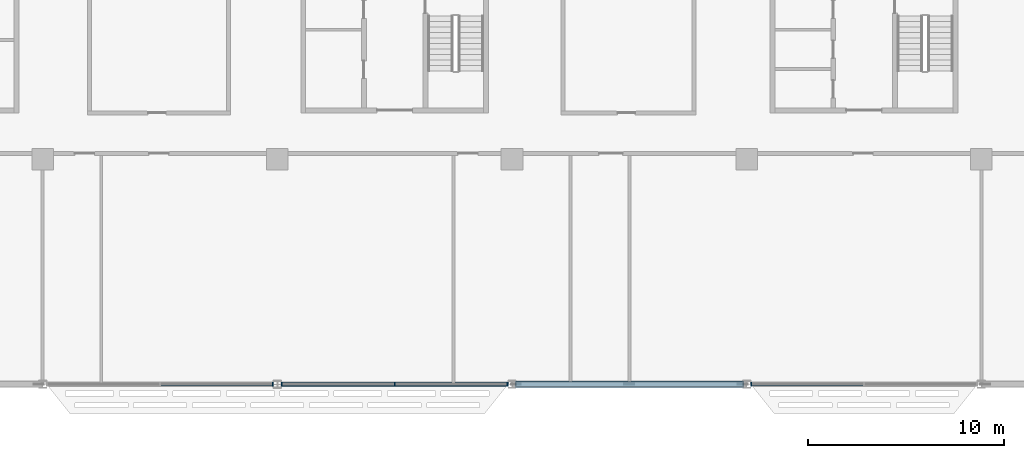
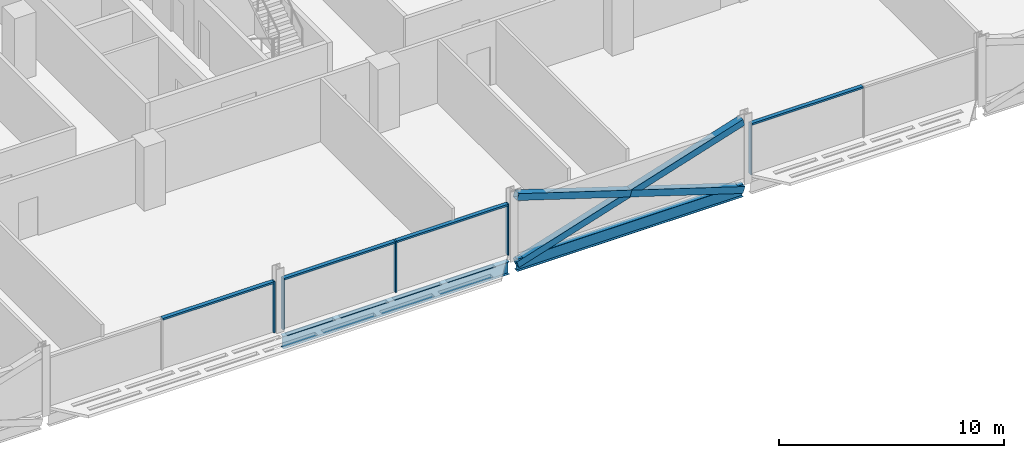
# One storey, part 6 of 30: 12 members, 2 beams, 3 elements without a shape of their own.
"""IFC4 building model written with IfcOpenShell, lengths in metres."""

from ifc_helpers import new_model, si_unit, direction, frame, origin, origin_2d, place, context, subcontext, project, spatial, rectangle, hollow_rectangle, i_section, extrude, material, material_profile, profile_set, type_object, element, aggregate, save


model = new_model("IFC4")

# Units and contexts
model_context = context("Model", 3, precision=1e-05, world=origin(), true_north=direction((0.0, 1.0)))
body_context = subcontext(model_context, "Body", "Model", "MODEL_VIEW")
ifc_project = project(units=[si_unit("LENGTHUNIT", "METRE"), si_unit("AREAUNIT", "SQUARE_METRE"), si_unit("VOLUMEUNIT", "CUBIC_METRE"), si_unit("PLANEANGLEUNIT", "RADIAN"), si_unit("MASSUNIT", "GRAM", prefix="KILO")], contexts=[model_context])

# Site, building, storey
site_placement = place(None, origin())
site = spatial("IfcSite", under=ifc_project, at=site_placement, CompositionType="ELEMENT")
building_placement = place(site_placement, origin())
building = spatial("IfcBuilding", under=site, at=building_placement, Name="Mahtab Terrace Research Tower", CompositionType="ELEMENT")
storey_placement = place(building_placement, frame((0.0, 0.0, 216.699951171875)))
storey = spatial("IfcBuildingStorey", under=building, at=storey_placement, Name="L52", CompositionType="ELEMENT", Elevation=216.699951171875)

# Members
ifc_material_1 = material(Name="Steel ASTM A500 Gr C", Category="steel")
ifc_material_profile_1 = material_profile(ifc_material_1, hollow_rectangle(XDim=0.355712890625, YDim=0.355712890625, WallThickness=0.015869140625, at=origin_2d()), Name="HSS14X14X5/8")
ifc_profile_set_1 = profile_set([ifc_material_profile_1], Name="Steel ASTM A500 Gr C")
member_type_1 = type_object("IfcMemberType", Name="HSS 14x14x5/8 brace XB141458", PredefinedType="BRACE", material=ifc_profile_set_1)
member_1_placement = place(storey_placement, frame((6.20068359375, -23.0, -0.615478515625), z_axis=(0.953343380425, 0.0, 0.301888057067), x_axis=(0.0, 1.0, 0.0)))
element("IfcMember", 1, at=member_1_placement, inside=storey, type_object=member_type_1, Name="Exoskeleton brace L52 17 a", PredefinedType="BRACE", context=body_context, shape_type="SweptSolid", body=[
    extrude(hollow_rectangle(XDim=0.355712890625, YDim=0.355712890625, WallThickness=0.015869140625, at=origin_2d()), origin(), (0.0, 0.0, 1.0), 12.166259765625),
])
for number, where, z_axis, x_axis, name in (
    (2, (17.79931640625, -23.0, -0.615478515625), (-0.953343380425, 0.0, 0.301888057067), (0.0, -1.0, 0.0), "Exoskeleton brace L52 17 b1"),
    (3, (12.0, -23.0, 1.220947265625), (-0.953343380425, 0.0, 0.301888057067), (0.0, -1.0, 0.0), "Exoskeleton brace L52 17 b2"),
):
    element("IfcMember", number, at=place(storey_placement, frame(where, z_axis=z_axis, x_axis=x_axis)), inside=storey, type_object=member_type_1, Name=name, PredefinedType="BRACE", context=body_context, shape_type="SweptSolid", body=[
        extrude(hollow_rectangle(XDim=0.355712890625, YDim=0.355712890625, WallThickness=0.015869140625, at=origin_2d()), origin(), (0.0, 0.0, 1.0), 6.083251953125),
    ])

# Curtain wall, member
ifc_material_2 = material(Name="Laboratory ribbon curtain wall")
curtain_wall_type = type_object("IfcCurtainWallType", Name="Laboratory ribbon curtain wall", PredefinedType="NOTDEFINED", material=ifc_material_2)
curtain_wall_1_placement = place(storey_placement, origin())
curtain_wall_1 = element("IfcCurtainWall", 4, at=curtain_wall_1_placement, inside=storey, type_object=curtain_wall_type, Name="EN.L52.13.25", PredefinedType="NOTDEFINED")
ifc_material_3 = material(Name="Natural anodised aluminium", Category="aluminium")
ifc_material_profile_2 = material_profile(ifc_material_3, rectangle(XDim=0.199951171875, YDim=0.06494140625, at=origin_2d()), Name="MULLION 65x200")
ifc_profile_set_2 = profile_set([ifc_material_profile_2], Name="Natural anodised aluminium")
member_type_2 = type_object("IfcMemberType", Name="Laboratory ribbon curtain wall mullion", PredefinedType="MULLION", material=ifc_profile_set_2)
member_2_placement = place(storey_placement, frame((-6.232421875, -23.0, 0.0), z_axis=(0.0, 0.0, 1.0), x_axis=(0.0, 1.0, 0.0)))
member_2 = element("IfcMember", 5, at=member_2_placement, type_object=member_type_2, Name="CWL-6 mullion 3", PredefinedType="MULLION", context=body_context, shape_type="SweptSolid", body=[
    extrude(rectangle(XDim=0.199951171875, YDim=0.06494140625, at=origin_2d()), origin(), (0.0, 0.0, 1.0), 2.78173828125),
])

# Curtain wall, members
curtain_wall_2_placement = place(storey_placement, origin())
curtain_wall_2 = element("IfcCurtainWall", 6, at=curtain_wall_2_placement, inside=storey, type_object=curtain_wall_type, Name="EN.L52.13.26", PredefinedType="NOTDEFINED")
member_3_placement = place(storey_placement, frame((-5.767578125, -23.0, 0.0), z_axis=(0.0, 0.0, 1.0), x_axis=(0.0, 1.0, 0.0)))
member_3 = element("IfcMember", 7, at=member_3_placement, type_object=member_type_2, Name="CWL-6 mullion 1", PredefinedType="MULLION", context=body_context, shape_type="SweptSolid", body=[
    extrude(rectangle(XDim=0.199951171875, YDim=0.06494140625, at=origin_2d()), origin(), (0.0, 0.0, 1.0), 2.78173828125),
])
member_4_placement = place(storey_placement, frame((0.0, -23.0, 0.0), z_axis=(0.0, 0.0, 1.0), x_axis=(0.0, 1.0, 0.0)))
member_4 = element("IfcMember", 8, at=member_4_placement, type_object=member_type_2, Name="CWL-6 mullion 2", PredefinedType="MULLION", context=body_context, shape_type="SweptSolid", body=[
    extrude(rectangle(XDim=0.199951171875, YDim=0.06494140625, at=origin_2d()), origin(), (0.0, 0.0, 1.0), 2.78173828125),
])
member_5_placement = place(storey_placement, frame((5.767578125, -23.0, 0.0), z_axis=(0.0, 0.0, 1.0), x_axis=(0.0, 1.0, 0.0)))
member_5 = element("IfcMember", 9, at=member_5_placement, type_object=member_type_2, Name="CWL-6 mullion 3", PredefinedType="MULLION", context=body_context, shape_type="SweptSolid", body=[
    extrude(rectangle(XDim=0.199951171875, YDim=0.06494140625, at=origin_2d()), origin(), (0.0, 0.0, 1.0), 2.78173828125),
])

# Curtain wall, member
curtain_wall_3_placement = place(storey_placement, origin())
curtain_wall_3 = element("IfcCurtainWall", 10, at=curtain_wall_3_placement, inside=storey, type_object=curtain_wall_type, Name="EN.L52.13.28", PredefinedType="NOTDEFINED")
member_6_placement = place(storey_placement, frame((18.232421875, -23.0, 0.0), z_axis=(0.0, 0.0, 1.0), x_axis=(0.0, 1.0, 0.0)))
member_6 = element("IfcMember", 11, at=member_6_placement, type_object=member_type_2, Name="CWL-6 mullion 1", PredefinedType="MULLION", context=body_context, shape_type="SweptSolid", body=[
    extrude(rectangle(XDim=0.199951171875, YDim=0.06494140625, at=origin_2d()), origin(), (0.0, 0.0, 1.0), 2.78173828125),
])

# Member
ifc_material_profile_3 = material_profile(ifc_material_3, rectangle(XDim=0.199951171875, YDim=0.10009765625, at=origin_2d()), Name="TRANSOM 100x200")
ifc_profile_set_3 = profile_set([ifc_material_profile_3], Name="Natural anodised aluminium")
member_type_3 = type_object("IfcMemberType", Name="Laboratory ribbon curtain wall transom", PredefinedType="USERDEFINED", material=ifc_profile_set_3)
member_7_placement = place(storey_placement, frame((-11.967529296875, -23.0, 2.73193359375), z_axis=(1.0, 0.0, 0.0), x_axis=(0.0, 1.0, 0.0)))
member_7 = element("IfcMember", 12, at=member_7_placement, type_object=member_type_3, Name="CWL-6 transom 2", ObjectType="TRANSOM", PredefinedType="USERDEFINED", context=body_context, shape_type="SweptSolid", body=[
    extrude(rectangle(XDim=0.199951171875, YDim=0.10009765625, at=origin_2d()), origin(), (0.0, 0.0, 1.0), 5.70263671875),
])

aggregate(curtain_wall_1, [member_2, member_7])

member_8_placement = place(storey_placement, frame((-5.735107421875, -23.0, 2.73193359375), z_axis=(1.0, 0.0, 0.0), x_axis=(0.0, 1.0, 0.0)))
member_8 = element("IfcMember", 13, at=member_8_placement, type_object=member_type_3, Name="CWL-6 transom 1", ObjectType="TRANSOM", PredefinedType="USERDEFINED", context=body_context, shape_type="SweptSolid", body=[
    extrude(rectangle(XDim=0.199951171875, YDim=0.10009765625, at=origin_2d()), origin(), (0.0, 0.0, 1.0), 5.70263671875),
])

member_9_placement = place(storey_placement, frame((0.032470703125, -23.0, 2.73193359375), z_axis=(1.0, 0.0, 0.0), x_axis=(0.0, 1.0, 0.0)))
member_9 = element("IfcMember", 14, at=member_9_placement, type_object=member_type_3, Name="CWL-6 transom 2", ObjectType="TRANSOM", PredefinedType="USERDEFINED", context=body_context, shape_type="SweptSolid", body=[
    extrude(rectangle(XDim=0.199951171875, YDim=0.10009765625, at=origin_2d()), origin(), (0.0, 0.0, 1.0), 5.70263671875),
])

aggregate(curtain_wall_2, [member_3, member_4, member_5, member_8, member_9])

member_10_placement = place(storey_placement, frame((18.264892578125, -23.0, 2.73193359375), z_axis=(1.0, 0.0, 0.0), x_axis=(0.0, 1.0, 0.0)))
member_10 = element("IfcMember", 15, at=member_10_placement, type_object=member_type_3, Name="CWL-6 transom 1", ObjectType="TRANSOM", PredefinedType="USERDEFINED", context=body_context, shape_type="SweptSolid", body=[
    extrude(rectangle(XDim=0.199951171875, YDim=0.10009765625, at=origin_2d()), origin(), (0.0, 0.0, 1.0), 5.70263671875),
])

aggregate(curtain_wall_3, [member_6, member_10])

# Beams
ifc_material_4 = material(Name="Steel ASTM A992 Gr 50", Category="steel")
ifc_material_profile_4 = material_profile(ifc_material_4, i_section(OverallWidth=0.25390625, OverallDepth=0.67822265625, WebThickness=0.01171875, FlangeThickness=0.016357421875, at=origin_2d()), Name="W27X84")
ifc_profile_set_4 = profile_set([ifc_material_profile_4], Name="Steel ASTM A992 Gr 50")
beam_type = type_object("IfcBeamType", Name="W27x84 beam BS2784", PredefinedType="BEAM", material=ifc_profile_set_4)
for number, where, z_axis, x_axis, name in (
    (16, (-5.79931640625, -23.0, -0.678955078125), (1.0, 0.0, 0.0), (0.0, 1.0, 0.0), "Spandrel beam L52 16"),
    (17, (6.20068359375, -23.0, -0.678955078125), (1.0, 0.0, 0.0), (0.0, 1.0, 0.0), "Spandrel beam L52 17"),
):
    element("IfcBeam", number, at=place(storey_placement, frame(where, z_axis=z_axis, x_axis=x_axis)), inside=storey, type_object=beam_type, Name=name, PredefinedType="BEAM", context=body_context, shape_type="SweptSolid", body=[
        extrude(i_section(OverallWidth=0.25390625, OverallDepth=0.67822265625, WebThickness=0.01171875, FlangeThickness=0.016357421875, at=origin_2d()), origin(), (0.0, 0.0, 1.0), 11.5986328125),
    ])

save(model, "model.ifc")
